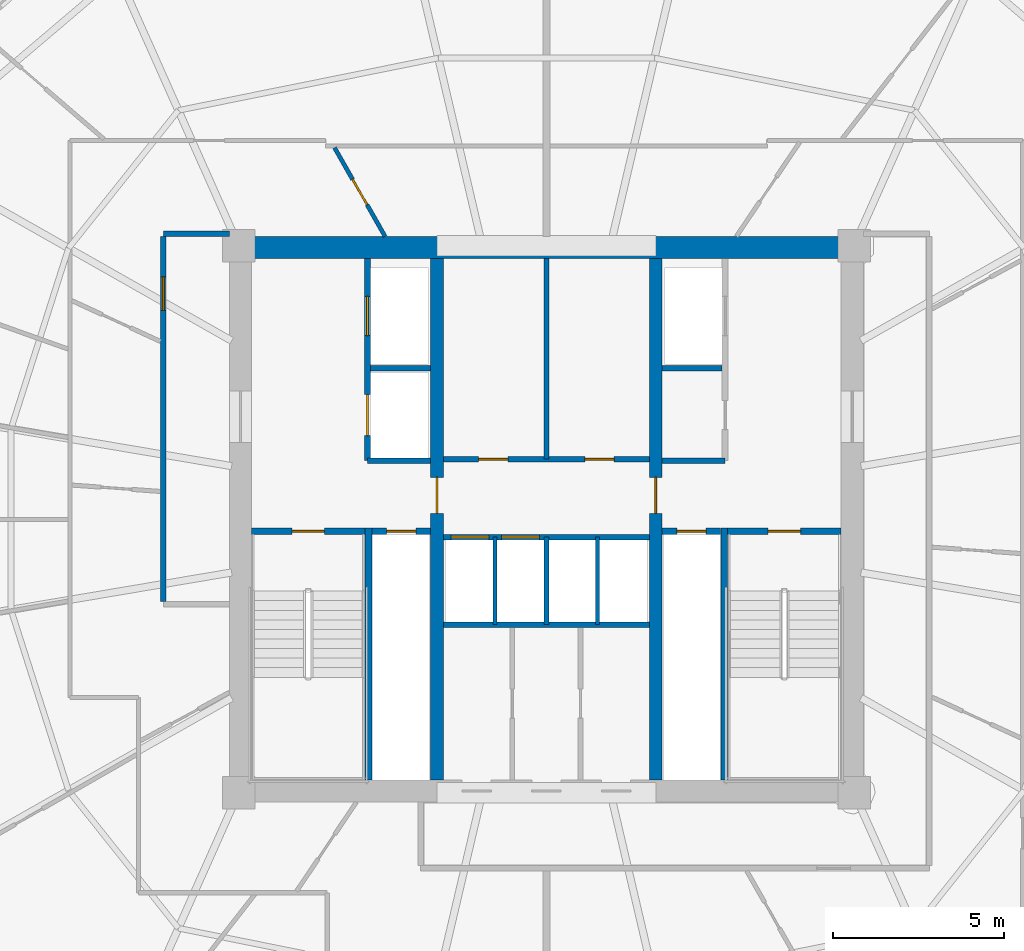
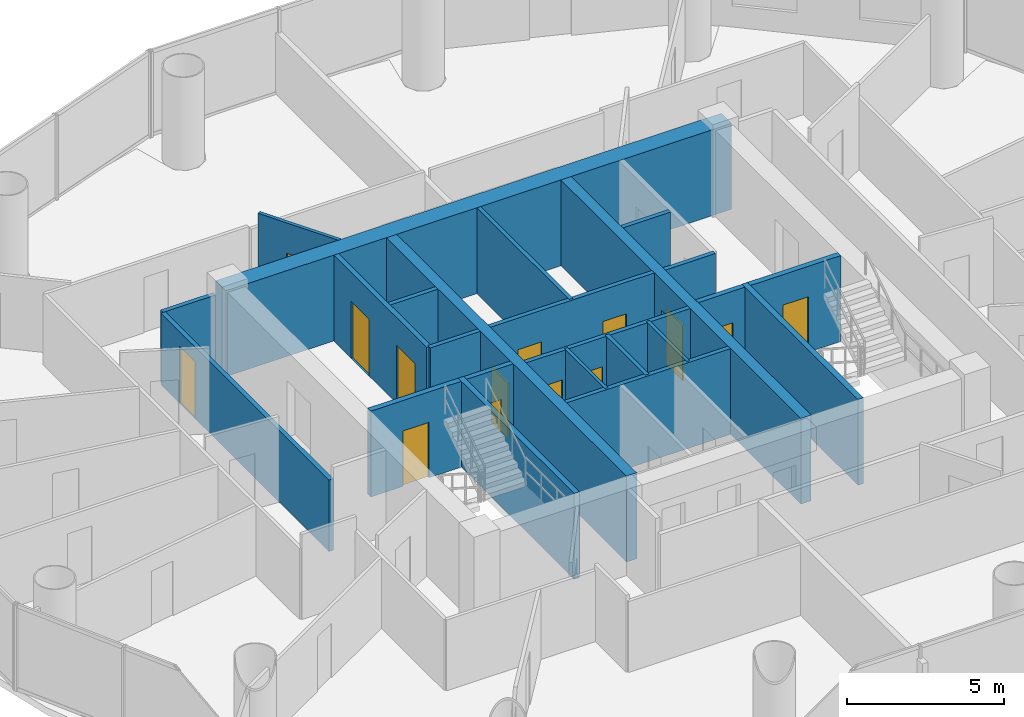
# One storey, part 21 of 26: 24 walls, 14 doors, 14 openings.
"""IFC4 building model written with IfcOpenShell, lengths in metres."""

from ifc_helpers import new_model, si_unit, direction, frame, frame_2d, origin, place, context, subcontext, project, spatial, rectangle, extrude, source, transform, mapped, material, layer, layer_set, type_object, element, fill, save


model = new_model("IFC4")

# Units and contexts
model_context = context("Model", 3, precision=1e-05, world=origin(), true_north=direction((-0.2419218956, 0.970295726276)))
body_context = subcontext(model_context, "Body", "Model", "MODEL_VIEW")
ifc_project = project(units=[si_unit("LENGTHUNIT", "METRE"), si_unit("AREAUNIT", "SQUARE_METRE"), si_unit("VOLUMEUNIT", "CUBIC_METRE"), si_unit("PLANEANGLEUNIT", "RADIAN"), si_unit("MASSUNIT", "GRAM", prefix="KILO")], contexts=[model_context])

# Site, building, storey
site_placement = place(None, origin())
site = spatial("IfcSite", under=ifc_project, at=site_placement, CompositionType="ELEMENT")
building_placement = place(site_placement, origin())
building = spatial("IfcBuilding", under=site, at=building_placement, Name="Cobrevalo Terracotta Tower", CompositionType="ELEMENT")
storey_placement = place(building_placement, frame((0.0, 0.0, 167.800048828125)))
storey = spatial("IfcBuildingStorey", under=building, at=storey_placement, Name="L44", CompositionType="ELEMENT", Elevation=167.800048828125)

# Walls
ifc_material_1 = material(Name="Concrete C55", Category="concrete")
ifc_layer_1 = layer(ifc_material_1, 0.64990234375)
ifc_layer_set_1 = layer_set([ifc_layer_1], Name="Concrete C55")
wall_type_1 = type_object("IfcWallType", Name="Core shear wall 650 mm Concrete C55", PredefinedType="SHEAR", material=ifc_layer_set_1)
wall_1_placement = place(storey_placement, frame((28.72509765625, 34.75, 0.0), z_axis=(0.0, 0.0, 1.0), x_axis=(1.0, 0.0, 0.0)))
element("IfcWall", 1, at=wall_1_placement, inside=storey, type_object=wall_type_1, Name="L44 north core shear wall", PredefinedType="SHEAR", context=body_context, shape_type="SweptSolid", body=[
    extrude(rectangle(XDim=18.5498046875, YDim=0.64990234375, at=frame_2d((9.27490234375, 0.0))), origin(), (0.0, 0.0, 1.0), 3.329833984375),
])
ifc_material_2 = material(Name="Gypsum board on steel stud", Category="steel")
ifc_layer_2 = layer(ifc_material_2, 0.159912109375)
ifc_layer_set_2 = layer_set([ifc_layer_2], Name="Gypsum board on steel stud")
wall_type_2 = type_object("IfcWallType", Name="Fire-rated corridor acoustic partition wall 160 mm", PredefinedType="PARTITIONING", material=ifc_layer_set_2)
wall_2_placement = place(storey_placement, frame((32.860107421875, 31.219970703125, 0.0), z_axis=(0.0, 0.0, 1.0), x_axis=(1.0, 0.0, 0.0)))
element("IfcWall", 2, at=wall_2_placement, inside=storey, type_object=wall_type_2, Name="L44 interior partition IW-L44-FF1-M", PredefinedType="PARTITIONING", context=body_context, shape_type="SweptSolid", body=[
    extrude(rectangle(XDim=1.75, YDim=0.159912109375, at=frame_2d((0.875, 0.0))), origin(), (0.0, 0.0, 1.0), 3.329833984375),
])
wall_3_placement = place(storey_placement, frame((32.77001953125, 28.52001953125, 0.0), z_axis=(0.0, 0.0, 1.0), x_axis=(1.0, 0.0, 0.0)))
element("IfcWall", 3, at=wall_3_placement, inside=storey, type_object=wall_type_2, Name="L44 interior partition IW-L44-FF1-S", PredefinedType="PARTITIONING", context=body_context, shape_type="SweptSolid", body=[
    extrude(rectangle(XDim=1.840087890625, YDim=0.159912109375, at=frame_2d((0.919921875, 0.0))), origin(), (0.0, 0.0, 1.0), 3.329833984375),
])
wall_4_placement = place(storey_placement, frame((41.389892578125, 31.219970703125, 0.0), z_axis=(0.0, 0.0, 1.0), x_axis=(1.0, 0.0, 0.0)))
element("IfcWall", 4, at=wall_4_placement, inside=storey, type_object=wall_type_2, Name="L44 interior partition IW-L44-FF2-M", PredefinedType="PARTITIONING", context=body_context, shape_type="SweptSolid", body=[
    extrude(rectangle(XDim=1.75, YDim=0.159912109375, at=frame_2d((0.875, 0.0))), origin(), (0.0, 0.0, 1.0), 3.329833984375),
])
wall_5_placement = place(storey_placement, frame((41.389892578125, 28.52001953125, 0.0), z_axis=(0.0, 0.0, 1.0), x_axis=(1.0, 0.0, 0.0)))
element("IfcWall", 5, at=wall_5_placement, inside=storey, type_object=wall_type_2, Name="L44 interior partition IW-L44-FF2-S", PredefinedType="PARTITIONING", context=body_context, shape_type="SweptSolid", body=[
    extrude(rectangle(XDim=1.840087890625, YDim=0.159912109375, at=frame_2d((0.919921875, 0.0))), origin(), (0.0, 0.0, 1.0), 3.329833984375),
])

# Wall, openings, doors
wall_6_placement = place(storey_placement, frame((34.989990234375, 28.56005859375, 0.0), z_axis=(0.0, 0.0, 1.0), x_axis=(1.0, 0.0, 0.0)))
wall_6 = element("IfcWall", 6, at=wall_6_placement, inside=storey, type_object=wall_type_2, Name="L44 interior partition IW-L44-LB-S", PredefinedType="PARTITIONING", context=body_context, shape_type="SweptSolid", body=[
    extrude(rectangle(XDim=6.02001953125, YDim=0.159912109375, at=frame_2d((3.010009765625, 0.0))), origin(), (0.0, 0.0, 1.0), 3.329833984375),
])
opening_1_placement = place(wall_6_placement, frame((1.02490234375, 0.0, 0.0)))
opening_1 = element("IfcOpeningElement", 7, at=opening_1_placement, cuts=wall_6, Name="Opening ID-07", PredefinedType="OPENING", context=body_context, shape_type="SweptSolid", body=[
    extrude(rectangle(XDim=0.860107421875, YDim=2.10009765625, at=frame_2d((0.43017578125, 1.050048828125))), frame((0.0, 0.08984375, 0.0), z_axis=(0.0, -1.0, 0.0), x_axis=(1.0, 0.0, 0.0)), (0.0, 0.0, 1.0), 0.179931640625),
])
opening_2_placement = place(wall_6_placement, frame((4.139892578125, 0.0, 0.0)))
opening_2 = element("IfcOpeningElement", 8, at=opening_2_placement, cuts=wall_6, Name="Opening ID-22", PredefinedType="OPENING", context=body_context, shape_type="SweptSolid", body=[
    extrude(rectangle(XDim=0.85009765625, YDim=2.10009765625, at=frame_2d((0.425048828125, 1.050048828125))), frame((0.0, 0.08984375, 0.0), z_axis=(0.0, -1.0, 0.0), x_axis=(1.0, 0.0, 0.0)), (0.0, 0.0, 1.0), 0.179931640625),
])
ifc_material_3 = material(Name="Powder-coated steel", Category="steel")
door_type_1 = type_object("IfcDoorType", Name="Riser shaft & meter closet fire access door 850x2100 EI 60", OperationType="NOTDEFINED", PredefinedType="DOOR", material=ifc_material_3)
shared_shape_1 = source(origin(), body_context, "Body", "SweptSolid", [
    extrude(rectangle(XDim=0.85009765625, YDim=2.10009765625, at=frame_2d((0.425048828125, 1.050048828125))), frame((0.0, 0.02490234375, 0.0), z_axis=(0.0, -1.0, 0.0), x_axis=(1.0, 0.0, 0.0)), (0.0, 0.0, 1.0), 0.050048828125),
])
door_1_placement = place(opening_2_placement, origin())
door_1 = element("IfcDoor", 9, at=door_1_placement, inside=storey, type_object=door_type_1, Name="L44 core service door Floor Telecom and Metering Plant", OperationType="SINGLE_SWING_RIGHT", OverallHeight=2.10009765625, OverallWidth=0.85009765625, PredefinedType="DOOR", context=body_context, shape_type="MappedRepresentation", body=[
    mapped(shared_shape_1, transform((0.0, 0.0, 0.0), scale=1.0)),
])
fill(opening_2, door_1)
ifc_material_4 = material(Name="Fire-rated moisture-sealed timber", Category="wood")
door_type_2 = type_object("IfcDoorType", Name="Core & podium fire-rated accessible WC door 860x2100 EI 60", OperationType="NOTDEFINED", PredefinedType="DOOR", material=ifc_material_4)
shared_shape_2 = source(origin(), body_context, "Body", "SweptSolid", [
    extrude(rectangle(XDim=0.860107421875, YDim=2.10009765625, at=frame_2d((0.43017578125, 1.050048828125))), frame((0.0, 0.02490234375, 0.0), z_axis=(0.0, -1.0, 0.0), x_axis=(1.0, 0.0, 0.0)), (0.0, 0.0, 1.0), 0.050048828125),
])
door_2_placement = place(opening_1_placement, origin())
door_2 = element("IfcDoor", 10, at=door_2_placement, inside=storey, type_object=door_type_2, Name="L44 core service door Core Accessible Toilet WC", OperationType="SINGLE_SWING_LEFT", OverallHeight=2.10009765625, OverallWidth=0.860107421875, PredefinedType="DOOR", context=body_context, shape_type="MappedRepresentation", body=[
    mapped(shared_shape_2, transform((0.0, 0.0, 0.0), scale=1.0)),
])
fill(opening_1, door_2)

wall_7_placement = place(storey_placement, frame((34.989990234375, 26.280029296875, 0.0), z_axis=(0.0, 0.0, 1.0), x_axis=(1.0, 0.0, 0.0)))
wall_7 = element("IfcWall", 11, at=wall_7_placement, inside=storey, type_object=wall_type_2, Name="L44 interior partition IW-L44-MB-N", PredefinedType="PARTITIONING", context=body_context, shape_type="SweptSolid", body=[
    extrude(rectangle(XDim=6.02001953125, YDim=0.159912109375, at=frame_2d((3.010009765625, 0.0))), origin(), (0.0, 0.0, 1.0), 3.329833984375),
])
opening_3_placement = place(wall_7_placement, frame((0.22509765625, 0.0, 0.0)))
opening_3 = element("IfcOpeningElement", 12, at=opening_3_placement, cuts=wall_7, Name="Opening LD-01", PredefinedType="OPENING", context=body_context, shape_type="SweptSolid", body=[
    extrude(rectangle(XDim=1.10009765625, YDim=2.199951171875, at=frame_2d((0.550048828125, 1.10009765625))), frame((0.0, 0.08984375, 0.0), z_axis=(0.0, -1.0, 0.0), x_axis=(1.0, 0.0, 0.0)), (0.0, 0.0, 1.0), 0.179931640625),
])
opening_4_placement = place(wall_7_placement, frame((1.705078125, 0.0, 0.0)))
opening_4 = element("IfcOpeningElement", 13, at=opening_4_placement, cuts=wall_7, Name="Opening LD-01", PredefinedType="OPENING", context=body_context, shape_type="SweptSolid", body=[
    extrude(rectangle(XDim=1.10009765625, YDim=2.199951171875, at=frame_2d((0.550048828125, 1.10009765625))), frame((0.0, 0.08984375, 0.0), z_axis=(0.0, -1.0, 0.0), x_axis=(1.0, 0.0, 0.0)), (0.0, 0.0, 1.0), 0.179931640625),
])
ifc_material_5 = material(Name="Brushed stainless steel", Category="steel")
door_type_3 = type_object("IfcDoorType", Name="Passenger lift landing bi-parting sliding door 1100x2200 EI 90", OperationType="DOUBLE_DOOR_SLIDING", PredefinedType="DOOR", material=ifc_material_5)
shared_shape_3 = source(origin(), body_context, "Body", "SweptSolid", [
    extrude(rectangle(XDim=1.10009765625, YDim=2.199951171875, at=frame_2d((0.550048828125, 1.10009765625))), frame((0.0, 0.02490234375, 0.0), z_axis=(0.0, -1.0, 0.0), x_axis=(1.0, 0.0, 0.0)), (0.0, 0.0, 1.0), 0.050048828125),
])
door_3_placement = place(opening_3_placement, origin())
door_3 = element("IfcDoor", 14, at=door_3_placement, inside=storey, type_object=door_type_3, Name="L44 lift landing door PL-M1", OperationType="DOUBLE_DOOR_SLIDING", OverallHeight=2.199951171875, OverallWidth=1.10009765625, PredefinedType="DOOR", context=body_context, shape_type="MappedRepresentation", body=[
    mapped(shared_shape_3, transform((0.0, 0.0, 0.0), scale=1.0)),
])
fill(opening_3, door_3)
door_4_placement = place(opening_4_placement, origin())
door_4 = element("IfcDoor", 15, at=door_4_placement, inside=storey, type_object=door_type_3, Name="L44 lift landing door PL-M2", OperationType="DOUBLE_DOOR_SLIDING", OverallHeight=2.199951171875, OverallWidth=1.10009765625, PredefinedType="DOOR", context=body_context, shape_type="MappedRepresentation", body=[
    mapped(shared_shape_3, transform((0.0, 0.0, 0.0), scale=1.0)),
])
fill(opening_4, door_4)

# Wall
wall_8_placement = place(storey_placement, frame((34.989990234375, 23.719970703125, 0.0), z_axis=(0.0, 0.0, 1.0), x_axis=(1.0, 0.0, 0.0)))
element("IfcWall", 16, at=wall_8_placement, inside=storey, type_object=wall_type_2, Name="L44 interior partition IW-L44-MB-S", PredefinedType="PARTITIONING", context=body_context, shape_type="SweptSolid", body=[
    extrude(rectangle(XDim=6.02001953125, YDim=0.159912109375, at=frame_2d((3.010009765625, 0.0))), origin(), (0.0, 0.0, 1.0), 3.329833984375),
])

# Wall, opening, door
wall_9_placement = place(storey_placement, frame((26.794921875, 24.39990234375, 0.0), z_axis=(0.0, 0.0, 1.0), x_axis=(0.0, 1.0, 0.0)))
wall_9 = element("IfcWall", 17, at=wall_9_placement, inside=storey, type_object=wall_type_2, Name="L44 interior partition IW-L44-COR-W", PredefinedType="PARTITIONING", context=body_context, shape_type="SweptSolid", body=[
    extrude(rectangle(XDim=10.675048828125, YDim=0.159912109375, at=frame_2d((5.33740234375, 0.0))), origin(), (0.0, 0.0, 1.0), 2.77587890625),
])
opening_5_placement = place(wall_9_placement, frame((8.513916015625, 0.0, 0.0)))
opening_5 = element("IfcOpeningElement", 18, at=opening_5_placement, cuts=wall_9, Name="Opening ID-05", PredefinedType="OPENING", context=body_context, shape_type="SweptSolid", body=[
    extrude(rectangle(XDim=0.97998046875, YDim=2.199951171875, at=frame_2d((0.489990234375, 1.10009765625))), frame((0.0, 0.08984375, 0.0), z_axis=(0.0, -1.0, 0.0), x_axis=(1.0, 0.0, 0.0)), (0.0, 0.0, 1.0), 0.179931640625),
])
ifc_material_6 = material(Name="Solid hardwood timber", Category="wood")
door_type_4 = type_object("IfcDoorType", Name="Residence entrance fire-rated acoustic timber door 980x2200 EI 60", OperationType="NOTDEFINED", PredefinedType="DOOR", material=ifc_material_6)
shared_shape_4 = source(origin(), body_context, "Body", "SweptSolid", [
    extrude(rectangle(XDim=0.97998046875, YDim=2.199951171875, at=frame_2d((0.489990234375, 1.10009765625))), frame((0.0, 0.02490234375, 0.0), z_axis=(0.0, -1.0, 0.0), x_axis=(1.0, 0.0, 0.0)), (0.0, 0.0, 1.0), 0.050048828125),
])
door_5_placement = place(opening_5_placement, origin())
door_5 = element("IfcDoor", 19, at=door_5_placement, inside=storey, type_object=door_type_4, Name="Flat L44A fire-rated apartment entrance door", OperationType="SINGLE_SWING_LEFT", OverallHeight=2.199951171875, OverallWidth=0.97998046875, PredefinedType="DOOR", context=body_context, shape_type="MappedRepresentation", body=[
    mapped(shared_shape_4, transform((0.0, 0.0, 0.0), scale=1.0)),
])
fill(opening_5, door_5)

# Wall
wall_10_placement = place(storey_placement, frame((26.794921875, 35.155029296875, 0.0), z_axis=(0.0, 0.0, 1.0), x_axis=(1.0, 0.0, 0.0)))
element("IfcWall", 20, at=wall_10_placement, inside=storey, type_object=wall_type_2, Name="L44 interior partition IW-L44-COR-WN-CAP", PredefinedType="PARTITIONING", context=body_context, shape_type="SweptSolid", body=[
    extrude(rectangle(XDim=1.93017578125, YDim=0.159912109375, at=frame_2d((0.965087890625, 0.0))), origin(), (0.0, 0.0, 1.0), 2.77587890625),
])

# Wall, opening, door
ifc_layer_3 = layer(ifc_material_2, 0.179931640625)
ifc_layer_set_3 = layer_set([ifc_layer_3], Name="Gypsum board on steel stud")
wall_type_3 = type_object("IfcWallType", Name="Fire-rated shaft & lobby acoustic partition wall 180 mm", PredefinedType="PARTITIONING", material=ifc_layer_set_3)
wall_11_placement = place(storey_placement, frame((32.89990234375, 26.449951171875, 0.0), z_axis=(0.0, 0.0, 1.0), x_axis=(1.0, 0.0, 0.0)))
wall_11 = element("IfcWall", 21, at=wall_11_placement, inside=storey, type_object=wall_type_3, Name="L44 interior partition IW-L44-RSW-N", PredefinedType="PARTITIONING", context=body_context, shape_type="SweptSolid", body=[
    extrude(rectangle(XDim=1.710205078125, YDim=0.179931640625, at=frame_2d((0.85498046875, 0.0))), origin(), (0.0, 0.0, 1.0), 3.329833984375),
])
opening_6_placement = place(wall_11_placement, frame((0.429931640625, 0.0, 0.0)))
opening_6 = element("IfcOpeningElement", 22, at=opening_6_placement, cuts=wall_11, Name="Opening ID-22", PredefinedType="OPENING", context=body_context, shape_type="SweptSolid", body=[
    extrude(rectangle(XDim=0.85009765625, YDim=2.10009765625, at=frame_2d((0.425048828125, 1.050048828125))), frame((0.0, 0.10009765625, 0.0), z_axis=(0.0, -1.0, 0.0), x_axis=(1.0, 0.0, 0.0)), (0.0, 0.0, 1.0), 0.199951171875),
])
door_6_placement = place(opening_6_placement, origin())
door_6 = element("IfcDoor", 23, at=door_6_placement, inside=storey, type_object=door_type_1, Name="L44 riser access door RSW", OperationType="SINGLE_SWING_LEFT", OverallHeight=2.10009765625, OverallWidth=0.85009765625, PredefinedType="DOOR", context=body_context, shape_type="MappedRepresentation", body=[
    mapped(shared_shape_1, transform((0.0, 0.0, 0.0), scale=1.0)),
])
fill(opening_6, door_6)

wall_12_placement = place(storey_placement, frame((41.389892578125, 26.449951171875, 0.0), z_axis=(0.0, 0.0, 1.0), x_axis=(1.0, 0.0, 0.0)))
wall_12 = element("IfcWall", 24, at=wall_12_placement, inside=storey, type_object=wall_type_3, Name="L44 interior partition IW-L44-RSE-N", PredefinedType="PARTITIONING", context=body_context, shape_type="SweptSolid", body=[
    extrude(rectangle(XDim=1.710205078125, YDim=0.179931640625, at=frame_2d((0.85498046875, 0.0))), origin(), (0.0, 0.0, 1.0), 3.329833984375),
])
opening_7_placement = place(wall_12_placement, frame((0.429931640625, 0.0, 0.0)))
opening_7 = element("IfcOpeningElement", 25, at=opening_7_placement, cuts=wall_12, Name="Opening ID-22", PredefinedType="OPENING", context=body_context, shape_type="SweptSolid", body=[
    extrude(rectangle(XDim=0.85009765625, YDim=2.10009765625, at=frame_2d((0.425048828125, 1.050048828125))), frame((0.0, 0.10009765625, 0.0), z_axis=(0.0, -1.0, 0.0), x_axis=(1.0, 0.0, 0.0)), (0.0, 0.0, 1.0), 0.199951171875),
])
door_7_placement = place(opening_7_placement, origin())
door_7 = element("IfcDoor", 26, at=door_7_placement, inside=storey, type_object=door_type_1, Name="L44 riser access door RSE", OperationType="SINGLE_SWING_RIGHT", OverallHeight=2.10009765625, OverallWidth=0.85009765625, PredefinedType="DOOR", context=body_context, shape_type="MappedRepresentation", body=[
    mapped(shared_shape_1, transform((0.0, 0.0, 0.0), scale=1.0)),
])
fill(opening_7, door_7)

# Wall, openings, doors
wall_13_placement = place(storey_placement, frame((32.77001953125, 28.52001953125, 0.0), z_axis=(0.0, 0.0, 1.0), x_axis=(0.0, 1.0, 0.0)))
wall_13 = element("IfcWall", 27, at=wall_13_placement, inside=storey, type_object=wall_type_3, Name="L44 interior partition IW-L44-FF1-W", PredefinedType="PARTITIONING", context=body_context, shape_type="SweptSolid", body=[
    extrude(rectangle(XDim=5.905029296875, YDim=0.179931640625, at=frame_2d((2.95263671875, 0.0))), origin(), (0.0, 0.0, 1.0), 3.329833984375),
])
opening_8_placement = place(wall_13_placement, frame((3.655029296875, 0.0, 0.0)))
opening_8 = element("IfcOpeningElement", 28, at=opening_8_placement, cuts=wall_13, Name="Opening LD-02", PredefinedType="OPENING", context=body_context, shape_type="SweptSolid", body=[
    extrude(rectangle(XDim=1.14990234375, YDim=2.199951171875, at=frame_2d((0.574951171875, 1.10009765625))), frame((0.0, 0.10009765625, 0.0), z_axis=(0.0, -1.0, 0.0), x_axis=(1.0, 0.0, 0.0)), (0.0, 0.0, 1.0), 0.199951171875),
])
opening_9_placement = place(wall_13_placement, frame((0.72998046875, 0.0, 0.0)))
opening_9 = element("IfcOpeningElement", 29, at=opening_9_placement, cuts=wall_13, Name="Opening LD-03", PredefinedType="OPENING", context=body_context, shape_type="SweptSolid", body=[
    extrude(rectangle(XDim=1.199951171875, YDim=2.25, at=frame_2d((0.60009765625, 1.125))), frame((0.0, 0.10009765625, 0.0), z_axis=(0.0, -1.0, 0.0), x_axis=(1.0, 0.0, 0.0)), (0.0, 0.0, 1.0), 0.199951171875),
])
door_type_5 = type_object("IfcDoorType", Name="Firefighting lift landing bi-parting sliding door 1150x2200 EI 120", OperationType="DOUBLE_DOOR_SLIDING", PredefinedType="DOOR", material=ifc_material_5)
shared_shape_5 = source(origin(), body_context, "Body", "SweptSolid", [
    extrude(rectangle(XDim=1.14990234375, YDim=2.199951171875, at=frame_2d((0.574951171875, 1.10009765625))), frame((0.0, 0.02490234375, 0.0), z_axis=(0.0, -1.0, 0.0), x_axis=(1.0, 0.0, 0.0)), (0.0, 0.0, 1.0), 0.050048828125),
])
door_8_placement = place(opening_8_placement, origin())
door_8 = element("IfcDoor", 30, at=door_8_placement, inside=storey, type_object=door_type_5, Name="L44 lift landing door FF-1", OperationType="DOUBLE_DOOR_SLIDING", OverallHeight=2.199951171875, OverallWidth=1.14990234375, PredefinedType="DOOR", context=body_context, shape_type="MappedRepresentation", body=[
    mapped(shared_shape_5, transform((0.0, 0.0, 0.0), scale=1.0)),
])
fill(opening_8, door_8)
door_type_6 = type_object("IfcDoorType", Name="Service lift landing bi-parting sliding door 1200x2250 EI 120", OperationType="DOUBLE_DOOR_SLIDING", PredefinedType="DOOR", material=ifc_material_5)
shared_shape_6 = source(origin(), body_context, "Body", "SweptSolid", [
    extrude(rectangle(XDim=1.199951171875, YDim=2.25, at=frame_2d((0.60009765625, 1.125))), frame((0.0, 0.02490234375, 0.0), z_axis=(0.0, -1.0, 0.0), x_axis=(1.0, 0.0, 0.0)), (0.0, 0.0, 1.0), 0.050048828125),
])
door_9_placement = place(opening_9_placement, origin())
door_9 = element("IfcDoor", 31, at=door_9_placement, inside=storey, type_object=door_type_6, Name="L44 lift landing door SV-1", OperationType="DOUBLE_DOOR_SLIDING", OverallHeight=2.25, OverallWidth=1.199951171875, PredefinedType="DOOR", context=body_context, shape_type="MappedRepresentation", body=[
    mapped(shared_shape_6, transform((0.0, 0.0, 0.0), scale=1.0)),
])
fill(opening_9, door_9)

# Walls
ifc_material_7 = material(Name="Autoclaved aerated concrete block", Category="concrete")
ifc_layer_4 = layer(ifc_material_7, 0.1201171875)
ifc_layer_set_4 = layer_set([ifc_layer_4], Name="Autoclaved aerated concrete block")
wall_type_4 = type_object("IfcWallType", Name="Fire-rated wet-room & core service partition 120 mm", PredefinedType="PARTITIONING", material=ifc_layer_set_4)
for number, where, z_axis, x_axis, name in (
    (32, (36.5, 23.719970703125, 0.0), (0.0, 0.0, 1.0), (0.0, 1.0, 0.0), "L44 interior partition IW-L44-MB-D1"),
    (33, (39.5, 23.719970703125, 0.0), (0.0, 0.0, 1.0), (0.0, 1.0, 0.0), "L44 interior partition IW-L44-MB-D3"),
):
    element("IfcWall", number, at=place(storey_placement, frame(where, z_axis=z_axis, x_axis=x_axis)), inside=storey, type_object=wall_type_4, Name=name, PredefinedType="PARTITIONING", context=body_context, shape_type="SweptSolid", body=[
        extrude(rectangle(XDim=2.56005859375, YDim=0.1201171875, at=frame_2d((1.280029296875, 0.0))), origin(), (0.0, 0.0, 1.0), 3.329833984375),
    ])

# Wall, opening, door
ifc_material_8 = material(Name="Concrete C50", Category="concrete")
ifc_layer_5 = layer(ifc_material_8, 0.3798828125)
ifc_layer_set_5 = layer_set([ifc_layer_5], Name="Concrete C50")
wall_type_5 = type_object("IfcWallType", Name="Internal core shear web wall 380 mm Concrete C50", PredefinedType="SHEAR", material=ifc_layer_set_5)
wall_14_placement = place(storey_placement, frame((34.800048828125, 19.175048828125, 0.0), z_axis=(0.0, 0.0, 1.0), x_axis=(0.0, 1.0, 0.0)))
wall_14 = element("IfcWall", 34, at=wall_14_placement, inside=storey, type_object=wall_type_5, Name="L44 internal core shear wall WEB-W", PredefinedType="SHEAR", context=body_context, shape_type="SweptSolid", body=[
    extrude(rectangle(XDim=15.25, YDim=0.3798828125, at=frame_2d((7.625, 0.0))), origin(), (0.0, 0.0, 1.0), 3.329833984375),
])
opening_10_placement = place(wall_14_placement, frame((7.800048828125, 0.0, 0.0)))
opening_10 = element("IfcOpeningElement", 35, at=opening_10_placement, cuts=wall_14, Name="Opening ID-11", PredefinedType="OPENING", context=body_context, shape_type="SweptSolid", body=[
    extrude(rectangle(XDim=1.050048828125, YDim=2.14990234375, at=frame_2d((0.52490234375, 1.074951171875))), frame((0.0, 0.199951171875, 0.0), z_axis=(0.0, -1.0, 0.0), x_axis=(1.0, 0.0, 0.0)), (0.0, 0.0, 1.0), 0.39990234375),
])
ifc_material_9 = material(Name="Galvanized fire-rated steel", Category="steel")
door_type_7 = type_object("IfcDoorType", Name="Core concourse cross fire door 1050x2150 EI 90", OperationType="NOTDEFINED", PredefinedType="DOOR", material=ifc_material_9)
shared_shape_7 = source(origin(), body_context, "Body", "SweptSolid", [
    extrude(rectangle(XDim=1.050048828125, YDim=2.14990234375, at=frame_2d((0.52490234375, 1.074951171875))), frame((0.0, 0.02490234375, 0.0), z_axis=(0.0, -1.0, 0.0), x_axis=(1.0, 0.0, 0.0)), (0.0, 0.0, 1.0), 0.050048828125),
])
door_10_placement = place(opening_10_placement, origin())
door_10 = element("IfcDoor", 36, at=door_10_placement, inside=storey, type_object=door_type_7, Name="L44 west core concourse cross door", OperationType="SINGLE_SWING_LEFT", OverallHeight=2.14990234375, OverallWidth=1.050048828125, PredefinedType="DOOR", context=body_context, shape_type="MappedRepresentation", body=[
    mapped(shared_shape_7, transform((0.0, 0.0, 0.0), scale=1.0)),
])
fill(opening_10, door_10)

wall_15_placement = place(storey_placement, frame((41.199951171875, 19.175048828125, 0.0), z_axis=(0.0, 0.0, 1.0), x_axis=(0.0, 1.0, 0.0)))
wall_15 = element("IfcWall", 37, at=wall_15_placement, inside=storey, type_object=wall_type_5, Name="L44 internal core shear wall WEB-E", PredefinedType="SHEAR", context=body_context, shape_type="SweptSolid", body=[
    extrude(rectangle(XDim=15.25, YDim=0.3798828125, at=frame_2d((7.625, 0.0))), origin(), (0.0, 0.0, 1.0), 3.329833984375),
])
opening_11_placement = place(wall_15_placement, frame((7.800048828125, 0.0, 0.0)))
opening_11 = element("IfcOpeningElement", 38, at=opening_11_placement, cuts=wall_15, Name="Opening ID-11", PredefinedType="OPENING", context=body_context, shape_type="SweptSolid", body=[
    extrude(rectangle(XDim=1.050048828125, YDim=2.14990234375, at=frame_2d((0.52490234375, 1.074951171875))), frame((0.0, 0.199951171875, 0.0), z_axis=(0.0, -1.0, 0.0), x_axis=(1.0, 0.0, 0.0)), (0.0, 0.0, 1.0), 0.39990234375),
])
door_11_placement = place(opening_11_placement, frame((1.050048828125, 0.0, 0.0), z_axis=(0.0, 0.0, 1.0), x_axis=(-1.0, 0.0, 0.0)))
door_11 = element("IfcDoor", 39, at=door_11_placement, inside=storey, type_object=door_type_7, Name="L44 east core concourse cross door", OperationType="SINGLE_SWING_RIGHT", OverallHeight=2.14990234375, OverallWidth=1.050048828125, PredefinedType="DOOR", context=body_context, shape_type="MappedRepresentation", body=[
    mapped(shared_shape_7, transform((0.0, 0.0, 0.0), scale=1.0)),
])
fill(opening_11, door_11)

# Walls
ifc_layer_6 = layer(ifc_material_7, 0.139892578125)
ifc_layer_set_6 = layer_set([ifc_layer_6], Name="Autoclaved aerated concrete block")
wall_type_6 = type_object("IfcWallType", Name="Moisture-resistant wet-room & core service partition 140 mm", PredefinedType="PARTITIONING", material=ifc_layer_set_6)
wall_16_placement = place(storey_placement, frame((38.0, 28.56005859375, 0.0), z_axis=(0.0, 0.0, 1.0), x_axis=(0.0, 1.0, 0.0)))
element("IfcWall", 40, at=wall_16_placement, inside=storey, type_object=wall_type_6, Name="L44 interior partition IW-L44-KVN-1", PredefinedType="PARTITIONING", context=body_context, shape_type="SweptSolid", body=[
    extrude(rectangle(XDim=5.864990234375, YDim=0.139892578125, at=frame_2d((2.9326171875, 0.0))), origin(), (0.0, 0.0, 1.0), 3.329833984375),
])
wall_17_placement = place(storey_placement, frame((38.0, 23.719970703125, 0.0), z_axis=(0.0, 0.0, 1.0), x_axis=(0.0, 1.0, 0.0)))
element("IfcWall", 41, at=wall_17_placement, inside=storey, type_object=wall_type_6, Name="L44 interior partition IW-L44-MB-D2", PredefinedType="PARTITIONING", context=body_context, shape_type="SweptSolid", body=[
    extrude(rectangle(XDim=2.56005859375, YDim=0.139892578125, at=frame_2d((1.280029296875, 0.0))), origin(), (0.0, 0.0, 1.0), 3.329833984375),
])

# Wall, opening, door
ifc_layer_7 = layer(ifc_material_2, 0.1201171875)
ifc_layer_set_7 = layer_set([ifc_layer_7], Name="Gypsum board on steel stud")
wall_type_7 = type_object("IfcWallType", Name="Residential internal acoustic stud partition 120 mm", PredefinedType="PARTITIONING", material=ifc_layer_set_7)
wall_18_placement = place(storey_placement, frame((33.283447265625, 35.074951171875, 0.0), z_axis=(0.0, 0.0, 1.0), x_axis=(-0.495179611311, 0.868790626412, 0.0)))
wall_18 = element("IfcWall", 42, at=wall_18_placement, inside=storey, type_object=wall_type_7, Name="L44 interior partition IW-L44-U1-IRAD1", PredefinedType="PARTITIONING", context=body_context, shape_type="SweptSolid", body=[
    extrude(rectangle(XDim=2.98828125, YDim=0.1201171875, at=frame_2d((1.494140625, 0.0))), origin(), (0.0, 0.0, 1.0), 3.329833984375),
])
opening_12_placement = place(wall_18_placement, frame((1.064208984375, 0.0, 0.0)))
opening_12 = element("IfcOpeningElement", 43, at=opening_12_placement, cuts=wall_18, Name="Opening ID-19", PredefinedType="OPENING", context=body_context, shape_type="SweptSolid", body=[
    extrude(rectangle(XDim=0.860107421875, YDim=2.14990234375, at=frame_2d((0.43017578125, 1.074951171875))), frame((0.0, 0.070068359375, 0.0), z_axis=(0.0, -1.0, 0.0), x_axis=(1.0, 0.0, 0.0)), (0.0, 0.0, 1.0), 0.14013671875),
])
ifc_material_10 = material(Name="Moisture-sealed timber", Category="wood")
door_type_8 = type_object("IfcDoorType", Name="Suite bathroom internal timber door 860x2150", OperationType="NOTDEFINED", PredefinedType="DOOR", material=ifc_material_10)
shared_shape_8 = source(origin(), body_context, "Body", "SweptSolid", [
    extrude(rectangle(XDim=0.860107421875, YDim=2.14990234375, at=frame_2d((0.43017578125, 1.074951171875))), frame((0.0, 0.02490234375, 0.0), z_axis=(0.0, -1.0, 0.0), x_axis=(1.0, 0.0, 0.0)), (0.0, 0.0, 1.0), 0.050048828125),
])
door_12_placement = place(opening_12_placement, frame((0.860107421875, 0.0, 0.0), z_axis=(0.0, 0.0, 1.0), x_axis=(-1.0, 0.0, 0.0)))
door_12 = element("IfcDoor", 44, at=door_12_placement, inside=storey, type_object=door_type_8, Name="Flat L44A Primary Bathroom internal door", OperationType="SINGLE_SWING_RIGHT", OverallHeight=2.14990234375, OverallWidth=0.860107421875, PredefinedType="DOOR", context=body_context, shape_type="MappedRepresentation", body=[
    mapped(shared_shape_8, transform((0.0, 0.0, 0.0), scale=1.0)),
])
fill(opening_12, door_12)

# Wall
ifc_layer_8 = layer(ifc_material_8, 0.199951171875)
ifc_layer_set_8 = layer_set([ifc_layer_8], Name="Concrete C50")
wall_type_8 = type_object("IfcWallType", Name="Structural core & podium stair-shaft RC wall 200 mm Concrete C50", PredefinedType="SOLIDWALL", material=ifc_layer_set_8)
wall_19_placement = place(storey_placement, frame((32.794921875, 19.175048828125, 0.0), z_axis=(0.0, 0.0, 1.0), x_axis=(0.0, 1.0, 0.0)))
element("IfcWall", 45, at=wall_19_placement, inside=storey, type_object=wall_type_8, Name="L44 ST-1 east structural shaft wall", PredefinedType="SOLIDWALL", context=body_context, shape_type="SweptSolid", body=[
    extrude(rectangle(XDim=7.375, YDim=0.199951171875, at=frame_2d((3.6875, 0.0))), origin(), (0.0, 0.0, 1.0), 3.329833984375),
])

# Wall, opening, door
wall_20_placement = place(storey_placement, frame((29.375, 26.449951171875, 0.0), z_axis=(0.0, 0.0, 1.0), x_axis=(1.0, 0.0, 0.0)))
wall_20 = element("IfcWall", 46, at=wall_20_placement, inside=storey, type_object=wall_type_8, Name="L44 ST-1 north structural shaft wall", PredefinedType="SOLIDWALL", context=body_context, shape_type="SweptSolid", body=[
    extrude(rectangle(XDim=3.320068359375, YDim=0.199951171875, at=frame_2d((1.66015625, 0.0))), origin(), (0.0, 0.0, 1.0), 3.329833984375),
])
opening_13_placement = place(wall_20_placement, frame((1.18505859375, 0.0, 0.0)))
opening_13 = element("IfcOpeningElement", 47, at=opening_13_placement, cuts=wall_20, Name="Opening ID-04", PredefinedType="OPENING", context=body_context, shape_type="SweptSolid", body=[
    extrude(rectangle(XDim=0.949951171875, YDim=2.14990234375, at=frame_2d((0.47509765625, 1.074951171875))), frame((0.0, 0.10986328125, 0.0), z_axis=(0.0, -1.0, 0.0), x_axis=(1.0, 0.0, 0.0)), (0.0, 0.0, 1.0), 0.219970703125),
])
door_type_9 = type_object("IfcDoorType", Name="Stair & firefighting lobby fire door 950x2150 EI 90", OperationType="NOTDEFINED", PredefinedType="DOOR", material=ifc_material_9)
shared_shape_9 = source(origin(), body_context, "Body", "SweptSolid", [
    extrude(rectangle(XDim=0.949951171875, YDim=2.14990234375, at=frame_2d((0.47509765625, 1.074951171875))), frame((0.0, 0.02490234375, 0.0), z_axis=(0.0, -1.0, 0.0), x_axis=(1.0, 0.0, 0.0)), (0.0, 0.0, 1.0), 0.050048828125),
])
door_13_placement = place(opening_13_placement, origin())
door_13 = element("IfcDoor", 48, at=door_13_placement, inside=storey, type_object=door_type_9, Name="L44 protected stair ST1 fire door", OperationType="SINGLE_SWING_LEFT", OverallHeight=2.14990234375, OverallWidth=0.949951171875, PredefinedType="DOOR", context=body_context, shape_type="MappedRepresentation", body=[
    mapped(shared_shape_9, transform((0.0, 0.0, 0.0), scale=1.0)),
])
fill(opening_13, door_13)

# Wall
wall_21_placement = place(storey_placement, frame((43.205078125, 19.175048828125, 0.0), z_axis=(0.0, 0.0, 1.0), x_axis=(0.0, 1.0, 0.0)))
element("IfcWall", 49, at=wall_21_placement, inside=storey, type_object=wall_type_8, Name="L44 ST-2 west structural shaft wall", PredefinedType="SOLIDWALL", context=body_context, shape_type="SweptSolid", body=[
    extrude(rectangle(XDim=7.375, YDim=0.199951171875, at=frame_2d((3.6875, 0.0))), origin(), (0.0, 0.0, 1.0), 3.329833984375),
])

# Wall, opening, door
wall_22_placement = place(storey_placement, frame((43.304931640625, 26.449951171875, 0.0), z_axis=(0.0, 0.0, 1.0), x_axis=(1.0, 0.0, 0.0)))
wall_22 = element("IfcWall", 50, at=wall_22_placement, inside=storey, type_object=wall_type_8, Name="L44 ST-2 north structural shaft wall", PredefinedType="SOLIDWALL", context=body_context, shape_type="SweptSolid", body=[
    extrude(rectangle(XDim=3.320068359375, YDim=0.199951171875, at=frame_2d((1.66015625, 0.0))), origin(), (0.0, 0.0, 1.0), 3.329833984375),
])
opening_14_placement = place(wall_22_placement, frame((1.18505859375, 0.0, 0.0)))
opening_14 = element("IfcOpeningElement", 51, at=opening_14_placement, cuts=wall_22, Name="Opening ID-04", PredefinedType="OPENING", context=body_context, shape_type="SweptSolid", body=[
    extrude(rectangle(XDim=0.949951171875, YDim=2.14990234375, at=frame_2d((0.47509765625, 1.074951171875))), frame((0.0, 0.10986328125, 0.0), z_axis=(0.0, -1.0, 0.0), x_axis=(1.0, 0.0, 0.0)), (0.0, 0.0, 1.0), 0.219970703125),
])
door_14_placement = place(opening_14_placement, frame((0.949951171875, 0.0, 0.0), z_axis=(0.0, 0.0, 1.0), x_axis=(-1.0, 0.0, 0.0)))
door_14 = element("IfcDoor", 52, at=door_14_placement, inside=storey, type_object=door_type_9, Name="L44 protected stair ST2 fire door", OperationType="SINGLE_SWING_RIGHT", OverallHeight=2.14990234375, OverallWidth=0.949951171875, PredefinedType="DOOR", context=body_context, shape_type="MappedRepresentation", body=[
    mapped(shared_shape_9, transform((0.0, 0.0, 0.0), scale=1.0)),
])
fill(opening_14, door_14)

save(model, "model.ifc")
